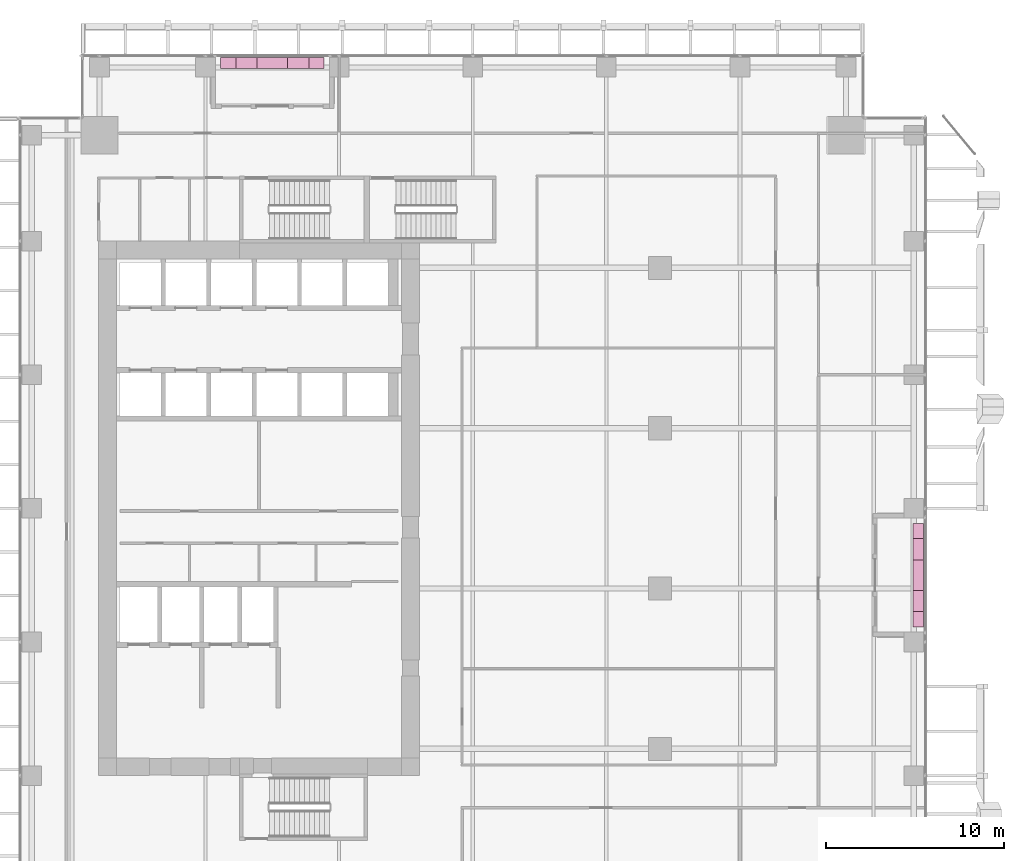
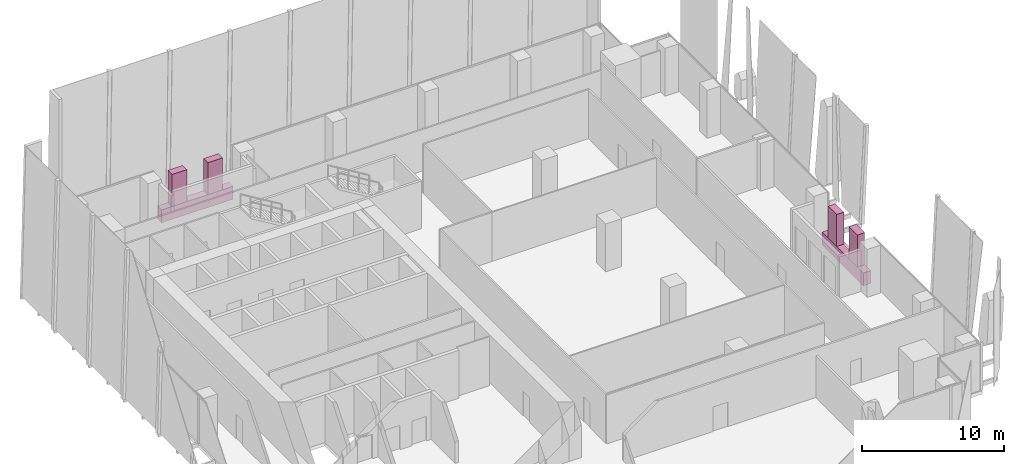
# One storey, part 36 of 36: 6 furnishings.
"""IFC4 building model written with IfcOpenShell, lengths in metres."""

from ifc_helpers import new_model, si_unit, direction, frame, origin, origin_2d, place, context, subcontext, project, spatial, rectangle, extrude, source, transform, mapped, material, type_object, element, save


model = new_model("IFC4")

# Units and contexts
model_context = context("Model", 3, precision=1e-05, world=origin(), true_north=direction((0.0, 1.0)))
body_context = subcontext(model_context, "Body", "Model", "MODEL_VIEW")
ifc_project = project(units=[si_unit("LENGTHUNIT", "METRE"), si_unit("AREAUNIT", "SQUARE_METRE"), si_unit("VOLUMEUNIT", "CUBIC_METRE"), si_unit("PLANEANGLEUNIT", "RADIAN"), si_unit("MASSUNIT", "GRAM", prefix="KILO")], contexts=[model_context])

# Site, building, storey
site_placement = place(None, origin())
site = spatial("IfcSite", under=ifc_project, at=site_placement, CompositionType="ELEMENT")
building_placement = place(site_placement, origin())
building = spatial("IfcBuilding", under=site, at=building_placement, Name="Khomas Fold Tower", CompositionType="ELEMENT")
storey_placement = place(building_placement, frame((0.0, 0.0, 141.10009765625)))
storey = spatial("IfcBuildingStorey", under=building, at=storey_placement, Name="L30", CompositionType="ELEMENT", Elevation=141.10009765625)

# Furnishings
ifc_material_1 = material(Name="Planting")
furnishing_element_type_1 = type_object("IfcFurnishingElementType", Name="BL-Tree Shepherd's tree", material=ifc_material_1)
shared_shape_1 = source(origin(), body_context, "Body", "SweptSolid", [
    extrude(rectangle(XDim=1.199951171875, YDim=0.60009765625, at=origin_2d()), origin(), (0.0, 0.0, 1.0), 2.7451171875),
])
furnishing_1_placement = place(storey_placement, frame((52.0, 21.800048828125, 1.054931640625), z_axis=(0.0, 0.0, 1.0), x_axis=(0.0, 1.0, 0.0)))
element("IfcFurnishingElement", 1, at=furnishing_1_placement, inside=storey, type_object=furnishing_element_type_1, Name="PLANTER (TREE) Shepherd's tree BAL-L30-E2-1", context=body_context, shape_type="MappedRepresentation", body=[
    mapped(shared_shape_1, transform((0.0, 0.0, 0.0))),
])
ifc_material_2 = material(Name="Planting")
furnishing_element_type_2 = type_object("IfcFurnishingElementType", Name="BL-Tree Karee", material=ifc_material_2)
for number, where, z_axis, x_axis, name in (
    (2, (52.0, 24.699951171875, 1.054931640625), (0.0, 0.0, 1.0), (0.0, 1.0, 0.0), "PLANTER (TREE) Karee BAL-L30-E2-2"),
    (3, (14.300048828125, 52.0, 1.054931640625), (0.0, 0.0, 1.0), (1.0, 0.0, 0.0), "PLANTER (TREE) Karee BAL-L30-N1-1"),
):
    element("IfcFurnishingElement", number, at=place(storey_placement, frame(where, z_axis=z_axis, x_axis=x_axis)), inside=storey, type_object=furnishing_element_type_2, Name=name, context=body_context, shape_type="MappedRepresentation", body=[
        mapped(shared_shape_1, transform((0.0, 0.0, 0.0))),
    ])
ifc_material_3 = material(Name="Planting")
furnishing_element_type_3 = type_object("IfcFurnishingElementType", Name="BL-Tree Wild olive", material=ifc_material_3)
furnishing_2_placement = place(storey_placement, frame((17.199951171875, 52.0, 1.054931640625), z_axis=(0.0, 0.0, 1.0), x_axis=(1.0, 0.0, 0.0)))
element("IfcFurnishingElement", 4, at=furnishing_2_placement, inside=storey, type_object=furnishing_element_type_3, Name="PLANTER (TREE) Wild olive BAL-L30-N1-2", context=body_context, shape_type="MappedRepresentation", body=[
    mapped(shared_shape_1, transform((0.0, 0.0, 0.0))),
])
ifc_material_4 = material(Name="Precast concrete C40/50", Category="concrete")
furnishing_element_type_4 = type_object("IfcFurnishingElementType", Name="BL-Structural planter box", material=ifc_material_4)
shared_shape_2 = source(origin(), body_context, "Body", "SweptSolid", [
    extrude(rectangle(XDim=5.800048828125, YDim=0.60009765625, at=origin_2d()), origin(), (0.0, 0.0, 1.0), 1.10009765625),
])
for number, where, z_axis, x_axis, name in (
    (5, (52.0, 23.25, -0.045166015625), (0.0, 0.0, 1.0), (0.0, 1.0, 0.0), "PLANTER BAL-L30-E2"),
    (6, (15.75, 52.0, -0.045166015625), (0.0, 0.0, 1.0), (1.0, 0.0, 0.0), "PLANTER BAL-L30-N1"),
):
    element("IfcFurnishingElement", number, at=place(storey_placement, frame(where, z_axis=z_axis, x_axis=x_axis)), inside=storey, type_object=furnishing_element_type_4, Name=name, context=body_context, shape_type="MappedRepresentation", body=[
        mapped(shared_shape_2, transform((0.0, 0.0, 0.0))),
    ])

save(model, "model.ifc")
